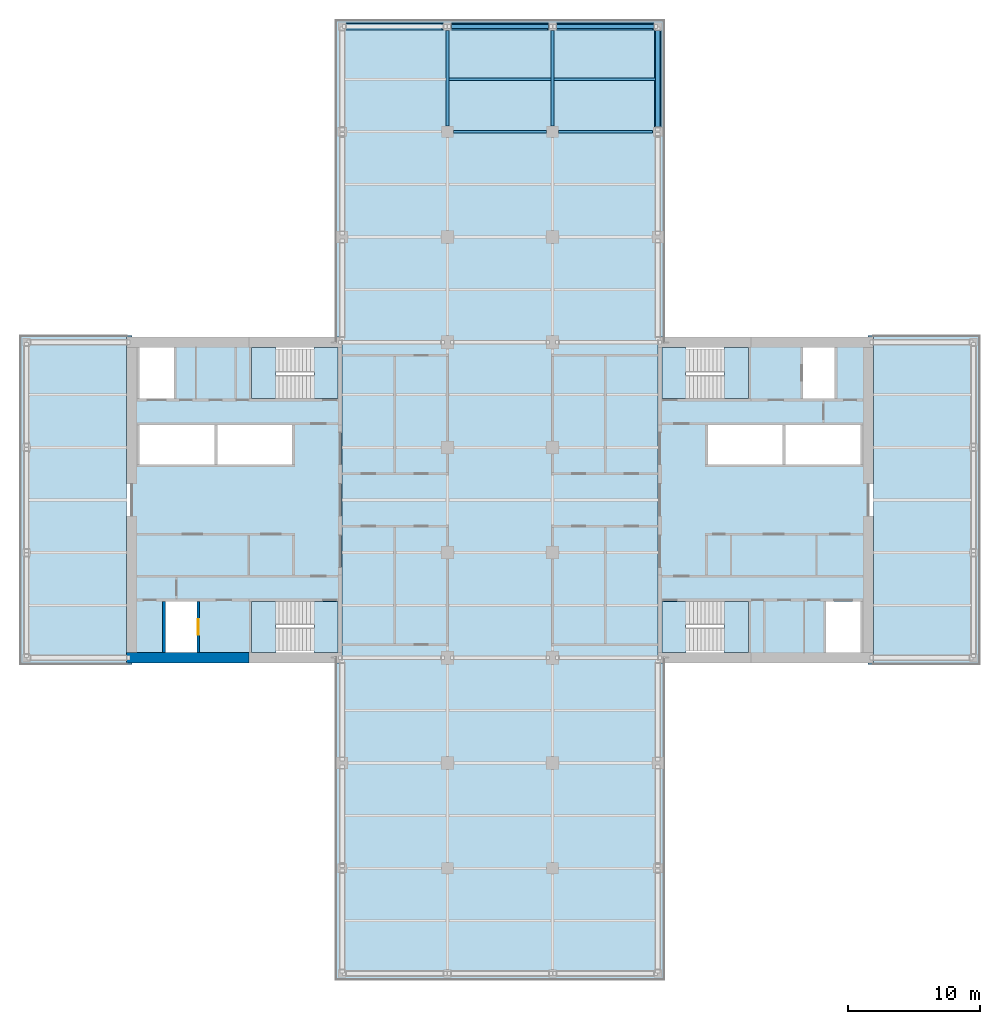
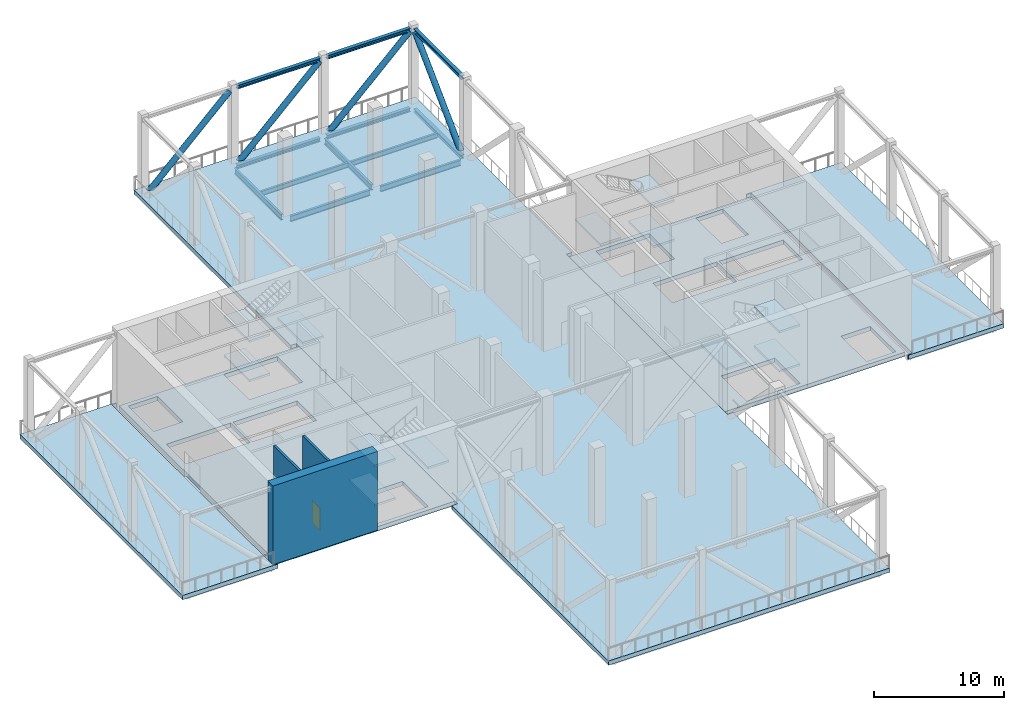
# One storey, part 3 of 18: 17 slabs, 10 members, 6 beams, 3 walls, 1 door, 1 opening, 4 elements without a shape of their own.
"""IFC4 building model written with IfcOpenShell, lengths in metres."""

from ifc_helpers import new_model, si_unit, direction, frame, frame_2d, origin, origin_2d, place, context, subcontext, project, spatial, polyline, rectangle, hollow_circle, i_section, outline, extrude, material, layer, layer_set, constituent, constituent_set, material_profile, profile_set, type_object, element, fill, aggregate, save


model = new_model("IFC4")

# Units and contexts
model_context = context("Model", 3, precision=1e-05, world=origin(), true_north=direction((0.0, 1.0)))
body_context = subcontext(model_context, "Body", "Model", "MODEL_VIEW")
ifc_project = project(units=[si_unit("LENGTHUNIT", "METRE"), si_unit("AREAUNIT", "SQUARE_METRE"), si_unit("VOLUMEUNIT", "CUBIC_METRE"), si_unit("PLANEANGLEUNIT", "RADIAN"), si_unit("MASSUNIT", "GRAM", prefix="KILO")], contexts=[model_context])

# Site, building, storey
site_placement = place(None, origin())
site = spatial("IfcSite", under=ifc_project, at=site_placement, CompositionType="ELEMENT")
building_placement = place(site_placement, origin())
building = spatial("IfcBuilding", under=site, at=building_placement, Name="Crosswind Convention Tower", CompositionType="ELEMENT")
storey_placement = place(building_placement, frame((0.0, 0.0, 105.300048828125)))
storey = spatial("IfcBuildingStorey", under=building, at=storey_placement, Name="L21", CompositionType="ELEMENT", Elevation=105.300048828125)

# Beams
ifc_material_1 = material(Name="Steel S355", Category="steel")
ifc_material_profile_1 = material_profile(ifc_material_1, i_section(OverallWidth=0.210693359375, OverallDepth=0.53955078125, WebThickness=0.01171875, FlangeThickness=0.018798828125, FilletRadius=0.0126953125, at=origin_2d()), Name="UB 533x210x109")
ifc_profile_set_1 = profile_set([ifc_material_profile_1], Name="Steel S355")
beam_type_1 = type_object("IfcBeamType", Name="Girder UB 533x210x109", PredefinedType="BEAM", material=ifc_profile_set_1)
beam_1_placement = place(storey_placement, frame((121.0, 128.449951171875, -0.669677734375), z_axis=(0.0, 1.0, 0.0), x_axis=(-1.0, 0.0, 0.0)))
element("IfcBeam", 1, at=beam_1_placement, inside=storey, type_object=beam_type_1, Name="B5 L21 girder 13", PredefinedType="BEAM", context=body_context, shape_type="SweptSolid", body=[
    extrude(i_section(OverallWidth=0.210693359375, OverallDepth=0.53955078125, WebThickness=0.01171875, FlangeThickness=0.018798828125, FilletRadius=0.0126953125, at=origin_2d()), origin(), (0.0, 0.0, 1.0), 7.25),
])
beam_2_placement = place(storey_placement, frame((121.449951171875, 128.0, -0.669677734375), z_axis=(1.0, 0.0, 0.0), x_axis=(0.0, 1.0, 0.0)))
element("IfcBeam", 2, at=beam_2_placement, inside=storey, type_object=beam_type_1, Name="B5 L21 girder 15", PredefinedType="BEAM", context=body_context, shape_type="SweptSolid", body=[
    extrude(i_section(OverallWidth=0.210693359375, OverallDepth=0.53955078125, WebThickness=0.01171875, FlangeThickness=0.018798828125, FilletRadius=0.0126953125, at=origin_2d()), origin(), (0.0, 0.0, 1.0), 7.10009765625),
])
beam_3_placement = place(storey_placement, frame((129.0, 128.449951171875, -0.669677734375), z_axis=(0.0, 1.0, 0.0), x_axis=(-1.0, 0.0, 0.0)))
element("IfcBeam", 3, at=beam_3_placement, inside=storey, type_object=beam_type_1, Name="B5 L21 girder 28", PredefinedType="BEAM", context=body_context, shape_type="SweptSolid", body=[
    extrude(i_section(OverallWidth=0.210693359375, OverallDepth=0.53955078125, WebThickness=0.01171875, FlangeThickness=0.018798828125, FilletRadius=0.0126953125, at=origin_2d()), origin(), (0.0, 0.0, 1.0), 7.25),
])
beam_4_placement = place(storey_placement, frame((129.449951171875, 128.0, -0.669677734375), z_axis=(1.0, 0.0, 0.0), x_axis=(0.0, 1.0, 0.0)))
element("IfcBeam", 4, at=beam_4_placement, inside=storey, type_object=beam_type_1, Name="B5 L21 girder 30", PredefinedType="BEAM", context=body_context, shape_type="SweptSolid", body=[
    extrude(i_section(OverallWidth=0.210693359375, OverallDepth=0.53955078125, WebThickness=0.01171875, FlangeThickness=0.018798828125, FilletRadius=0.0126953125, at=origin_2d()), origin(), (0.0, 0.0, 1.0), 7.150146484375),
])
ifc_material_profile_2 = material_profile(ifc_material_1, i_section(OverallWidth=0.1904296875, OverallDepth=0.457275390625, WebThickness=0.009033203125, FlangeThickness=0.014404296875, FilletRadius=0.01025390625, at=origin_2d()), Name="UB 457x191x75")
ifc_profile_set_2 = profile_set([ifc_material_profile_2], Name="Steel S355")
beam_type_2 = type_object("IfcBeamType", Name="Secondary beam UB 457x191x75", PredefinedType="JOIST", material=ifc_profile_set_2)
beam_5_placement = place(storey_placement, frame((121.10546875, 132.0, -0.628662109375), z_axis=(1.0, 0.0, 0.0), x_axis=(0.0, 1.0, 0.0)))
element("IfcBeam", 5, at=beam_5_placement, inside=storey, type_object=beam_type_2, Name="B12 L21 secondary beam 21", PredefinedType="JOIST", context=body_context, shape_type="SweptSolid", body=[
    extrude(i_section(OverallWidth=0.1904296875, OverallDepth=0.457275390625, WebThickness=0.009033203125, FlangeThickness=0.014404296875, FilletRadius=0.01025390625, at=origin_2d()), origin(), (0.0, 0.0, 1.0), 7.7890625),
])
beam_6_placement = place(storey_placement, frame((129.10546875, 132.0, -0.628662109375), z_axis=(1.0, 0.0, 0.0), x_axis=(0.0, 1.0, 0.0)))
element("IfcBeam", 6, at=beam_6_placement, inside=storey, type_object=beam_type_2, Name="B12 L21 secondary beam 30", PredefinedType="JOIST", context=body_context, shape_type="SweptSolid", body=[
    extrude(i_section(OverallWidth=0.1904296875, OverallDepth=0.457275390625, WebThickness=0.009033203125, FlangeThickness=0.014404296875, FilletRadius=0.01025390625, at=origin_2d()), origin(), (0.0, 0.0, 1.0), 7.737548828125),
])

# Members
ifc_material_profile_3 = material_profile(ifc_material_1, i_section(OverallWidth=0.314208984375, OverallDepth=0.33984375, WebThickness=0.019287109375, FlangeThickness=0.031494140625, FilletRadius=0.01513671875, at=origin_2d()), Name="UC 305x305x198")
ifc_profile_set_3 = profile_set([ifc_material_profile_3], Name="Steel S355")
member_type_1 = type_object("IfcMemberType", Name="Truss chord UC 305x305x198", PredefinedType="CHORD", material=ifc_profile_set_3)
for number, where, z_axis, x_axis, name in (
    (7, (121.300048828125, 136.0, -0.570068359375), (1.0, 0.0, 0.0), (0.0, 1.0, 0.0), "M1 L21 bottom chord 15"),
    (8, (121.300048828125, 136.0, 6.929931640625), (1.0, 0.0, 0.0), (0.0, 1.0, 0.0), "M1 L21 top chord 15"),
    (9, (129.300048828125, 136.0, -0.570068359375), (1.0, 0.0, 0.0), (0.0, 1.0, 0.0), "M1 L21 bottom chord 17"),
    (10, (129.300048828125, 136.0, 6.929931640625), (1.0, 0.0, 0.0), (0.0, 1.0, 0.0), "M1 L21 top chord 17"),
):
    element("IfcMember", number, at=place(storey_placement, frame(where, z_axis=z_axis, x_axis=x_axis)), inside=storey, type_object=member_type_1, Name=name, PredefinedType="CHORD", context=body_context, shape_type="SweptSolid", body=[
        extrude(i_section(OverallWidth=0.314208984375, OverallDepth=0.33984375, WebThickness=0.019287109375, FlangeThickness=0.031494140625, FilletRadius=0.01513671875, at=origin_2d()), origin(), (0.0, 0.0, 1.0), 7.39990234375),
    ])
member_1_placement = place(storey_placement, frame((137.0, 128.39990234375, -0.570068359375), z_axis=(0.0, 1.0, 0.0), x_axis=(-1.0, 0.0, 0.0)))
element("IfcMember", 11, at=member_1_placement, inside=storey, type_object=member_type_1, Name="M1 L21 bottom chord 23", PredefinedType="CHORD", context=body_context, shape_type="SweptSolid", body=[
    extrude(i_section(OverallWidth=0.314208984375, OverallDepth=0.33984375, WebThickness=0.019287109375, FlangeThickness=0.031494140625, FilletRadius=0.01513671875, at=origin_2d()), origin(), (0.0, 0.0, 1.0), 7.300048828125),
])
member_2_placement = place(storey_placement, frame((137.0, 128.35009765625, 6.929931640625), z_axis=(0.0, 1.0, 0.0), x_axis=(-1.0, 0.0, 0.0)))
element("IfcMember", 12, at=member_2_placement, inside=storey, type_object=member_type_1, Name="M1 L21 top chord 23", PredefinedType="CHORD", context=body_context, shape_type="SweptSolid", body=[
    extrude(i_section(OverallWidth=0.314208984375, OverallDepth=0.33984375, WebThickness=0.019287109375, FlangeThickness=0.031494140625, FilletRadius=0.01513671875, at=origin_2d()), origin(), (0.0, 0.0, 1.0), 7.349853515625),
])
ifc_material_profile_4 = material_profile(ifc_material_1, hollow_circle(Radius=0.25390625, WallThickness=0.011962890625, at=origin_2d()), Name="CHS 508.0x12.0")
ifc_profile_set_4 = profile_set([ifc_material_profile_4], Name="Steel S355")
member_type_2 = type_object("IfcMemberType", Name="Truss diagonal CHS 508.0x12.0", PredefinedType="BRACE", material=ifc_profile_set_4)
for number, where, z_axis, x_axis, name in (
    (13, (113.300048828125, 136.0, -0.400146484375), (0.71865259228, 0.0, 0.695369291534), (0.0, 1.0, 0.0), "M2 L21 diagonal 13"),
    (14, (121.300048828125, 136.0, -0.400146484375), (0.71865259228, 0.0, 0.695369291534), (0.0, 1.0, 0.0), "M2 L21 diagonal 15"),
    (15, (129.300048828125, 136.0, -0.400146484375), (0.71865259228, 0.0, 0.695369291534), (0.0, 1.0, 0.0), "M2 L21 diagonal 17"),
):
    element("IfcMember", number, at=place(storey_placement, frame(where, z_axis=z_axis, x_axis=x_axis)), inside=storey, type_object=member_type_2, Name=name, PredefinedType="BRACE", context=body_context, shape_type="SweptSolid", body=[
        extrude(hollow_circle(Radius=0.25390625, WallThickness=0.011962890625, at=origin_2d()), origin(), (0.0, 0.0, 1.0), 10.296875),
    ])
member_3_placement = place(storey_placement, frame((137.0, 128.39990234375, -0.400146484375), z_axis=(0.0, 0.713914147212, 0.700233240007), x_axis=(-1.0, 0.0, 0.0)))
element("IfcMember", 16, at=member_3_placement, inside=storey, type_object=member_type_2, Name="M2 L21 diagonal 23", PredefinedType="BRACE", context=body_context, shape_type="SweptSolid", body=[
    extrude(hollow_circle(Radius=0.25390625, WallThickness=0.011962890625, at=origin_2d()), origin(), (0.0, 0.0, 1.0), 10.225341796875),
])

# Slabs
ifc_material_2 = material(Name="Concrete C40/50", Category="concrete")
ifc_layer_1 = layer(ifc_material_2, 0.39990234375)
ifc_layer_set_1 = layer_set([ifc_layer_1], Name="Concrete C40/50")
slab_type_1 = type_object("IfcSlabType", Name="Composite floor slab 400", PredefinedType="FLOOR", material=ifc_layer_set_1)
slab_1_placement = place(storey_placement, frame((0.0, 0.0, -0.400146484375)))
element("IfcSlab", 17, at=slab_1_placement, inside=storey, type_object=slab_type_1, Name="Floor slab L21 part 1", PredefinedType="FLOOR", context=body_context, shape_type="SweptSolid", body=[
    extrude(outline(polyline([(97.0, 87.5), (89.0, 87.5), (88.5, 87.5), (88.5, 88.0), (88.5, 112.0), (88.5, 112.5), (89.0, 112.5), (97.0, 112.5), (97.0, 112.39990234375), (96.60009765625, 112.39990234375), (96.60009765625, 87.60009765625), (97.0, 87.60009765625), (97.0, 87.5)])), origin(), (0.0, 0.0, 1.0), 0.400146484375),
])
slab_2_placement = place(storey_placement, frame((0.0, 0.0, -0.400146484375)))
element("IfcSlab", 18, at=slab_2_placement, inside=storey, type_object=slab_type_1, Name="Floor slab L21 part 2", PredefinedType="FLOOR", context=body_context, shape_type="SweptSolid", body=[
    extrude(outline(polyline([(112.5, 87.60009765625), (113.0, 87.60009765625), (113.0, 112.39990234375), (112.5, 112.39990234375), (112.5, 136.0), (112.5, 136.5), (113.0, 136.5), (137.0, 136.5), (137.5, 136.5), (137.5, 136.0), (137.5, 112.39990234375), (137.0, 112.39990234375), (137.0, 87.60009765625), (137.5, 87.60009765625), (137.5, 64.0), (137.5, 63.5), (137.0, 63.5), (113.0, 63.5), (112.5, 63.5), (112.5, 64.0), (112.5, 87.60009765625)])), origin(), (0.0, 0.0, 1.0), 0.400146484375),
])
slab_3_placement = place(storey_placement, frame((0.0, 0.0, -0.400146484375)))
element("IfcSlab", 19, at=slab_3_placement, inside=storey, type_object=slab_type_1, Name="Floor slab L21 part 3", PredefinedType="FLOOR", context=body_context, shape_type="SweptSolid", body=[
    extrude(outline(polyline([(153.0, 112.5), (161.0, 112.5), (161.5, 112.5), (161.5, 112.0), (161.5, 88.0), (161.5, 87.5), (161.0, 87.5), (153.0, 87.5), (153.0, 87.60009765625), (153.39990234375, 87.60009765625), (153.39990234375, 112.39990234375), (153.0, 112.39990234375), (153.0, 112.5)])), origin(), (0.0, 0.0, 1.0), 0.400146484375),
])
ifc_layer_2 = layer(ifc_material_2, 0.39990234375)
ifc_layer_set_2 = layer_set([ifc_layer_2], Name="Concrete C40/50")
slab_type_2 = type_object("IfcSlabType", Name="Concrete core floor slab 400", PredefinedType="FLOOR", material=ifc_layer_set_2)
slab_4_placement = place(storey_placement, frame((0.0, 0.0, -0.400146484375)))
element("IfcSlab", 20, at=slab_4_placement, inside=storey, type_object=slab_type_2, Name="Core floor slab E L21", PredefinedType="FLOOR", context=body_context, shape_type="SweptSolid", body=[
    extrude(outline(polyline([(137.0, 88.0), (153.0, 88.0), (153.0, 112.0), (137.0, 112.0), (137.0, 88.0)]), holes=[polyline([(146.5, 102.699951171875), (146.5, 105.699951171875), (140.800048828125, 105.699951171875), (140.800048828125, 102.699951171875), (146.5, 102.699951171875)]), polyline([(152.39990234375, 102.699951171875), (152.39990234375, 105.699951171875), (146.699951171875, 105.699951171875), (146.699951171875, 102.699951171875), (152.39990234375, 102.699951171875)]), polyline([(150.449951171875, 107.699951171875), (150.449951171875, 111.60009765625), (148.050048828125, 111.60009765625), (148.050048828125, 107.699951171875), (150.449951171875, 107.699951171875)]), polyline([(152.39990234375, 88.39990234375), (152.39990234375, 92.300048828125), (149.800048828125, 92.300048828125), (149.800048828125, 88.39990234375), (152.39990234375, 88.39990234375)]), polyline([(143.89990234375, 107.699951171875), (143.89990234375, 111.60009765625), (139.14990234375, 111.60009765625), (139.14990234375, 107.699951171875), (143.89990234375, 107.699951171875)]), polyline([(143.89990234375, 88.39990234375), (143.89990234375, 92.300048828125), (139.14990234375, 92.300048828125), (139.14990234375, 88.39990234375), (143.89990234375, 88.39990234375)])]), origin(), (0.0, 0.0, 1.0), 0.400146484375),
])
slab_5_placement = place(storey_placement, frame((0.0, 0.0, -0.400146484375)))
element("IfcSlab", 21, at=slab_5_placement, inside=storey, type_object=slab_type_2, Name="Core floor slab W L21", PredefinedType="FLOOR", context=body_context, shape_type="SweptSolid", body=[
    extrude(outline(polyline([(97.0, 88.0), (113.0, 88.0), (113.0, 112.0), (97.0, 112.0), (97.0, 88.0)]), holes=[polyline([(109.199951171875, 102.699951171875), (109.199951171875, 105.699951171875), (103.5, 105.699951171875), (103.5, 102.699951171875), (109.199951171875, 102.699951171875)]), polyline([(103.300048828125, 102.699951171875), (103.300048828125, 105.699951171875), (97.60009765625, 105.699951171875), (97.60009765625, 102.699951171875), (103.300048828125, 102.699951171875)]), polyline([(101.949951171875, 88.39990234375), (101.949951171875, 92.300048828125), (99.550048828125, 92.300048828125), (99.550048828125, 88.39990234375), (101.949951171875, 88.39990234375)]), polyline([(100.199951171875, 107.699951171875), (100.199951171875, 111.60009765625), (97.60009765625, 111.60009765625), (97.60009765625, 107.699951171875), (100.199951171875, 107.699951171875)]), polyline([(110.85009765625, 88.39990234375), (110.85009765625, 92.300048828125), (106.10009765625, 92.300048828125), (106.10009765625, 88.39990234375), (110.85009765625, 88.39990234375)]), polyline([(110.85009765625, 107.699951171875), (110.85009765625, 111.60009765625), (106.10009765625, 111.60009765625), (106.10009765625, 107.699951171875), (110.85009765625, 107.699951171875)])]), origin(), (0.0, 0.0, 1.0), 0.400146484375),
])

# Stair, slabs
stair_type = type_object("IfcStairType", Name="Exit stair 1800 wide, 4 flights of 11 risers", PredefinedType="HALF_TURN_STAIR", material=ifc_material_2)
stair_1_placement = place(storey_placement, origin())
stair_1 = element("IfcStair", 22, at=stair_1_placement, inside=storey, type_object=stair_type, Name="Exit stair ST1 L21", ObjectType="ST6", PredefinedType="HALF_TURN_STAIR")
ifc_layer_3 = layer(ifc_material_2, 0.199951171875)
ifc_layer_set_3 = layer_set([ifc_layer_3], Name="Concrete C40/50")
slab_type_3 = type_object("IfcSlabType", Name="Stair landing 200", PredefinedType="LANDING", material=ifc_layer_set_3)
slab_6_placement = place(storey_placement, frame((0.0, 0.0, 1.64990234375)))
slab_6 = element("IfcSlab", 23, at=slab_6_placement, type_object=slab_type_3, Name="ST1 landing 1", PredefinedType="LANDING", context=body_context, shape_type="SweptSolid", body=[
    extrude(outline(polyline([(143.89990234375, 107.699951171875), (143.89990234375, 111.60009765625), (142.050048828125, 111.60009765625), (142.050048828125, 107.699951171875), (143.89990234375, 107.699951171875)])), origin(), (0.0, 0.0, 1.0), 0.199951171875),
])
slab_7_placement = place(storey_placement, frame((0.0, 0.0, 3.5)))
slab_7 = element("IfcSlab", 24, at=slab_7_placement, type_object=slab_type_3, Name="ST1 landing 2", PredefinedType="LANDING", context=body_context, shape_type="SweptSolid", body=[
    extrude(outline(polyline([(139.14990234375, 107.699951171875), (139.14990234375, 111.60009765625), (137.300048828125, 111.60009765625), (137.300048828125, 107.699951171875), (139.14990234375, 107.699951171875)])), origin(), (0.0, 0.0, 1.0), 0.199951171875),
])
slab_8_placement = place(storey_placement, frame((0.0, 0.0, 5.349853515625)))
slab_8 = element("IfcSlab", 25, at=slab_8_placement, type_object=slab_type_3, Name="ST1 landing 3", PredefinedType="LANDING", context=body_context, shape_type="SweptSolid", body=[
    extrude(outline(polyline([(143.89990234375, 107.699951171875), (143.89990234375, 111.60009765625), (142.050048828125, 111.60009765625), (142.050048828125, 107.699951171875), (143.89990234375, 107.699951171875)])), origin(), (0.0, 0.0, 1.0), 0.2001953125),
])
aggregate(stair_1, [slab_6, slab_7, slab_8])

stair_2_placement = place(storey_placement, origin())
stair_2 = element("IfcStair", 26, at=stair_2_placement, inside=storey, type_object=stair_type, Name="Exit stair ST2 L21", ObjectType="ST6", PredefinedType="HALF_TURN_STAIR")
slab_9_placement = place(storey_placement, frame((0.0, 0.0, 1.64990234375)))
slab_9 = element("IfcSlab", 27, at=slab_9_placement, type_object=slab_type_3, Name="ST2 landing 1", PredefinedType="LANDING", context=body_context, shape_type="SweptSolid", body=[
    extrude(outline(polyline([(143.89990234375, 88.39990234375), (143.89990234375, 92.300048828125), (142.050048828125, 92.300048828125), (142.050048828125, 88.39990234375), (143.89990234375, 88.39990234375)])), origin(), (0.0, 0.0, 1.0), 0.199951171875),
])
slab_10_placement = place(storey_placement, frame((0.0, 0.0, 3.5)))
slab_10 = element("IfcSlab", 28, at=slab_10_placement, type_object=slab_type_3, Name="ST2 landing 2", PredefinedType="LANDING", context=body_context, shape_type="SweptSolid", body=[
    extrude(outline(polyline([(139.14990234375, 88.39990234375), (139.14990234375, 92.300048828125), (137.300048828125, 92.300048828125), (137.300048828125, 88.39990234375), (139.14990234375, 88.39990234375)])), origin(), (0.0, 0.0, 1.0), 0.199951171875),
])
slab_11_placement = place(storey_placement, frame((0.0, 0.0, 5.349853515625)))
slab_11 = element("IfcSlab", 29, at=slab_11_placement, type_object=slab_type_3, Name="ST2 landing 3", PredefinedType="LANDING", context=body_context, shape_type="SweptSolid", body=[
    extrude(outline(polyline([(143.89990234375, 88.39990234375), (143.89990234375, 92.300048828125), (142.050048828125, 92.300048828125), (142.050048828125, 88.39990234375), (143.89990234375, 88.39990234375)])), origin(), (0.0, 0.0, 1.0), 0.2001953125),
])
aggregate(stair_2, [slab_9, slab_10, slab_11])

stair_3_placement = place(storey_placement, origin())
stair_3 = element("IfcStair", 30, at=stair_3_placement, inside=storey, type_object=stair_type, Name="Exit stair ST3 L21", ObjectType="ST6", PredefinedType="HALF_TURN_STAIR")
slab_12_placement = place(storey_placement, frame((0.0, 0.0, 1.64990234375)))
slab_12 = element("IfcSlab", 31, at=slab_12_placement, type_object=slab_type_3, Name="ST3 landing 1", PredefinedType="LANDING", context=body_context, shape_type="SweptSolid", body=[
    extrude(outline(polyline([(107.949951171875, 88.39990234375), (107.949951171875, 92.300048828125), (106.10009765625, 92.300048828125), (106.10009765625, 88.39990234375), (107.949951171875, 88.39990234375)])), origin(), (0.0, 0.0, 1.0), 0.199951171875),
])
slab_13_placement = place(storey_placement, frame((0.0, 0.0, 3.5)))
slab_13 = element("IfcSlab", 32, at=slab_13_placement, type_object=slab_type_3, Name="ST3 landing 2", PredefinedType="LANDING", context=body_context, shape_type="SweptSolid", body=[
    extrude(outline(polyline([(112.699951171875, 88.39990234375), (112.699951171875, 92.300048828125), (110.85009765625, 92.300048828125), (110.85009765625, 88.39990234375), (112.699951171875, 88.39990234375)])), origin(), (0.0, 0.0, 1.0), 0.199951171875),
])
slab_14_placement = place(storey_placement, frame((0.0, 0.0, 5.349853515625)))
slab_14 = element("IfcSlab", 33, at=slab_14_placement, type_object=slab_type_3, Name="ST3 landing 3", PredefinedType="LANDING", context=body_context, shape_type="SweptSolid", body=[
    extrude(outline(polyline([(107.949951171875, 88.39990234375), (107.949951171875, 92.300048828125), (106.10009765625, 92.300048828125), (106.10009765625, 88.39990234375), (107.949951171875, 88.39990234375)])), origin(), (0.0, 0.0, 1.0), 0.2001953125),
])
aggregate(stair_3, [slab_12, slab_13, slab_14])

stair_4_placement = place(storey_placement, origin())
stair_4 = element("IfcStair", 34, at=stair_4_placement, inside=storey, type_object=stair_type, Name="Exit stair ST4 L21", ObjectType="ST6", PredefinedType="HALF_TURN_STAIR")
slab_15_placement = place(storey_placement, frame((0.0, 0.0, 1.64990234375)))
slab_15 = element("IfcSlab", 35, at=slab_15_placement, type_object=slab_type_3, Name="ST4 landing 1", PredefinedType="LANDING", context=body_context, shape_type="SweptSolid", body=[
    extrude(outline(polyline([(107.949951171875, 107.699951171875), (107.949951171875, 111.60009765625), (106.10009765625, 111.60009765625), (106.10009765625, 107.699951171875), (107.949951171875, 107.699951171875)])), origin(), (0.0, 0.0, 1.0), 0.199951171875),
])
slab_16_placement = place(storey_placement, frame((0.0, 0.0, 3.5)))
slab_16 = element("IfcSlab", 36, at=slab_16_placement, type_object=slab_type_3, Name="ST4 landing 2", PredefinedType="LANDING", context=body_context, shape_type="SweptSolid", body=[
    extrude(outline(polyline([(112.699951171875, 107.699951171875), (112.699951171875, 111.60009765625), (110.85009765625, 111.60009765625), (110.85009765625, 107.699951171875), (112.699951171875, 107.699951171875)])), origin(), (0.0, 0.0, 1.0), 0.199951171875),
])
slab_17_placement = place(storey_placement, frame((0.0, 0.0, 5.349853515625)))
slab_17 = element("IfcSlab", 37, at=slab_17_placement, type_object=slab_type_3, Name="ST4 landing 3", PredefinedType="LANDING", context=body_context, shape_type="SweptSolid", body=[
    extrude(outline(polyline([(107.949951171875, 107.699951171875), (107.949951171875, 111.60009765625), (106.10009765625, 111.60009765625), (106.10009765625, 107.699951171875), (107.949951171875, 107.699951171875)])), origin(), (0.0, 0.0, 1.0), 0.2001953125),
])
aggregate(stair_4, [slab_15, slab_16, slab_17])

# Wall, opening, door
ifc_material_3 = material(Name="Concrete C50/60", Category="concrete")
ifc_layer_4 = layer(ifc_material_3, 0.199951171875)
ifc_layer_set_4 = layer_set([ifc_layer_4], Name="Concrete C50/60")
wall_type_1 = type_object("IfcWallType", Name="Concrete shaft and stair wall 200", PredefinedType="SHEAR", material=ifc_layer_set_4)
wall_1_placement = place(storey_placement, frame((102.050048828125, 92.300048828125, 0.0), z_axis=(0.0, 0.0, 1.0), x_axis=(0.0, -1.0, 0.0)))
wall_1 = element("IfcWall", 38, at=wall_1_placement, inside=storey, type_object=wall_type_1, Name="Wall PFLW W L21", PredefinedType="SHEAR", context=body_context, shape_type="SweptSolid", body=[
    extrude(rectangle(XDim=3.900146484375, YDim=0.199951171875, at=frame_2d((1.9501953125, 0.0))), origin(), (0.0, 0.0, 1.0), 7.39990234375),
])
opening_placement = place(wall_1_placement, frame((1.35009765625, 0.0, 0.0)))
opening = element("IfcOpeningElement", 39, at=opening_placement, cuts=wall_1, Name="Opening LD1", PredefinedType="OPENING", context=body_context, shape_type="SweptSolid", body=[
    extrude(rectangle(XDim=1.199951171875, YDim=2.10009765625, at=frame_2d((0.60009765625, 1.050048828125))), frame((0.0, 0.10986328125, 0.0), z_axis=(0.0, -1.0, 0.0), x_axis=(1.0, 0.0, 0.0)), (0.0, 0.0, 1.0), 0.219970703125),
])
ifc_material_4 = material(Name="Stainless steel", Category="steel")
door_type = type_object("IfcDoorType", Name="Lift landing door 1200x2100", OperationType="DOUBLE_DOOR_SLIDING", PredefinedType="DOOR", material=ifc_material_4)
door_placement = place(opening_placement, origin())
door = element("IfcDoor", 40, at=door_placement, inside=storey, type_object=door_type, Name="Landing door FF2 L21", ObjectType="LD1", OperationType="DOUBLE_DOOR_SLIDING", OverallHeight=2.10009765625, OverallWidth=1.199951171875, PredefinedType="DOOR", context=body_context, shape_type="SweptSolid", body=[
    extrude(rectangle(XDim=1.199951171875, YDim=2.10009765625, at=frame_2d((0.60009765625, 1.050048828125))), frame((0.0, 0.02490234375, 0.0), z_axis=(0.0, -1.0, 0.0), x_axis=(1.0, 0.0, 0.0)), (0.0, 0.0, 1.0), 0.050048828125),
])
fill(opening, door)

# Walls
wall_2_placement = place(storey_placement, frame((99.449951171875, 92.300048828125, 0.0), z_axis=(0.0, 0.0, 1.0), x_axis=(0.0, -1.0, 0.0)))
element("IfcWall", 41, at=wall_2_placement, inside=storey, type_object=wall_type_1, Name="Wall PFSE W L21", PredefinedType="SHEAR", context=body_context, shape_type="SweptSolid", body=[
    extrude(rectangle(XDim=3.900146484375, YDim=0.199951171875, at=frame_2d((1.9501953125, 0.0))), origin(), (0.0, 0.0, 1.0), 7.39990234375),
])
ifc_material_5 = material(Name="Concrete C60/75", Category="concrete")
ifc_constituent_1 = constituent(ifc_material_5, Name="Structure")
ifc_material_6 = material(Name="Terracotta rainscreen", Category="ceramic")
ifc_constituent_2 = constituent(ifc_material_6, Name="Facing")
ifc_constituent_set = constituent_set(constituents=[ifc_constituent_1, ifc_constituent_2], Name="Concrete C60/75, Terracotta rainscreen")
wall_type_2 = type_object("IfcWallType", Name="Terracotta rainscreen on concrete core wall 800", PredefinedType="SHEAR", material=ifc_constituent_set)
wall_3_placement = place(storey_placement, frame((105.89990234375, 88.0, 0.0), z_axis=(0.0, 0.0, 1.0), x_axis=(-1.0, 0.0, 0.0)))
element("IfcWall", 42, at=wall_3_placement, inside=storey, type_object=wall_type_2, Name="Wall N2 W L21", PredefinedType="SHEAR", context=body_context, shape_type="SweptSolid", body=[
    extrude(rectangle(XDim=9.2998046875, YDim=0.800048828125, at=frame_2d((4.64990234375, 0.0))), origin(), (0.0, 0.0, 1.0), 7.39990234375),
])

save(model, "model.ifc")
